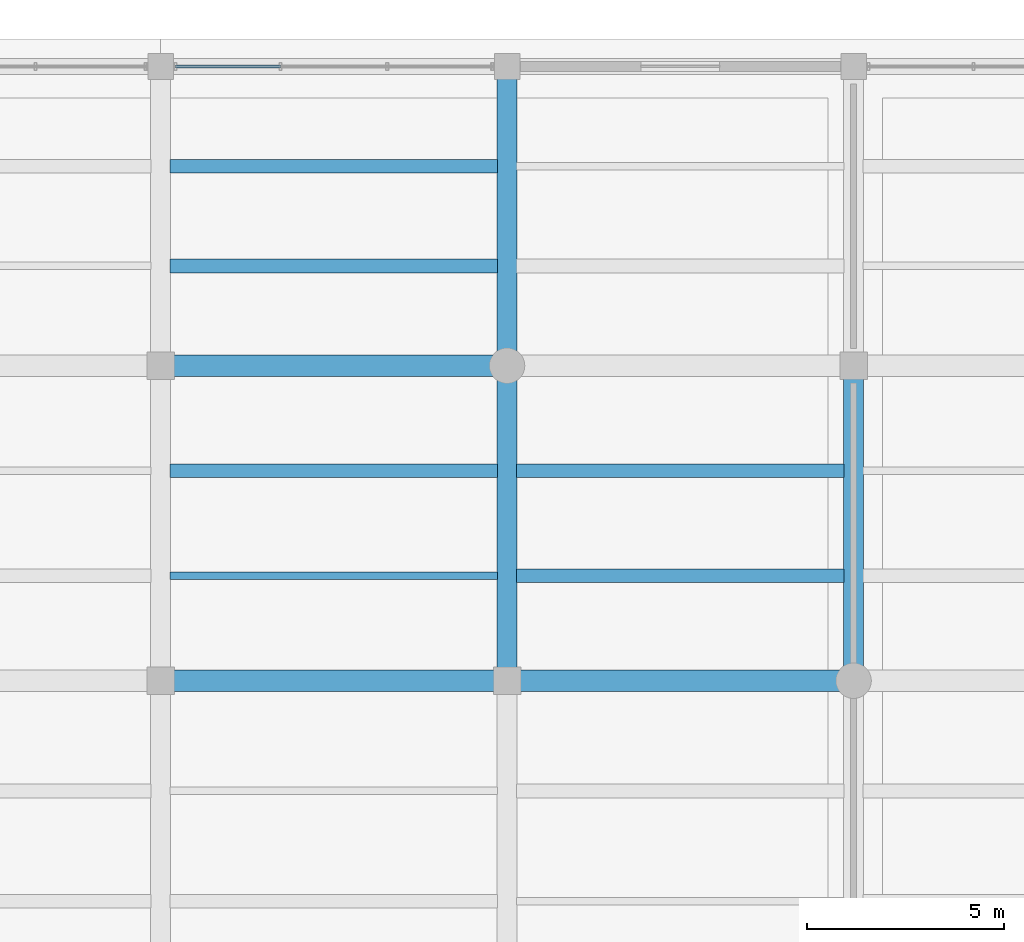
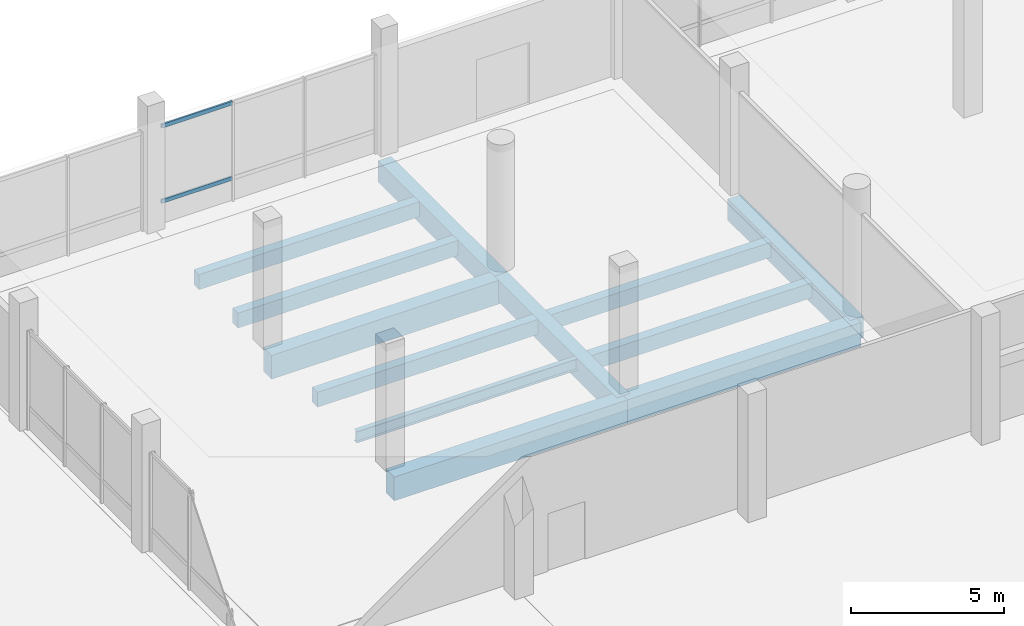
# One storey, part 38 of 73: 12 beams, 2 members, 1 element without a shape of its own.
"""IFC4 building model written with IfcOpenShell, lengths in metres."""

from ifc_helpers import new_model, si_unit, direction, frame, origin, origin_2d, place, context, subcontext, project, spatial, rectangle, hollow_rectangle, i_section, extrude, material, layer, layer_set, material_profile, profile_set, type_object, element, aggregate, save


model = new_model("IFC4")

# Units and contexts
model_context = context("Model", 3, precision=1e-05, world=origin(), true_north=direction((0.0, 1.0)))
body_context = subcontext(model_context, "Body", "Model", "MODEL_VIEW")
ifc_project = project(units=[si_unit("LENGTHUNIT", "METRE"), si_unit("AREAUNIT", "SQUARE_METRE"), si_unit("VOLUMEUNIT", "CUBIC_METRE"), si_unit("PLANEANGLEUNIT", "RADIAN"), si_unit("MASSUNIT", "GRAM", prefix="KILO")], contexts=[model_context])

# Site, building, storey
site_placement = place(None, origin())
site = spatial("IfcSite", under=ifc_project, at=site_placement, CompositionType="ELEMENT")
building_placement = place(site_placement, origin())
building = spatial("IfcBuilding", under=site, at=building_placement, Name="Meriwether Solvik Hall", CompositionType="ELEMENT")
storey_placement = place(building_placement, origin())
storey = spatial("IfcBuildingStorey", under=building, at=storey_placement, Name="L00", CompositionType="ELEMENT", Elevation=0.0)

# Beams
ifc_material_1 = material(Name="Concrete C40/50", Category="concrete")
ifc_material_profile_1 = material_profile(ifc_material_1, rectangle(XDim=0.35009765625, YDim=0.60009765625, at=origin_2d()), Name="RCB-350X600")
ifc_profile_set_1 = profile_set([ifc_material_profile_1], Name="Concrete C40/50")
beam_type_1 = type_object("IfcBeamType", Name="BM-RC-350X600", PredefinedType="JOIST", material=ifc_profile_set_1)
for number, where, z_axis, x_axis, name in (
    (1, (114.445068359375, 106.533203125, -0.659912109375), (1.0, 0.0, 0.0), (0.0, 1.0, 0.0), "Secondary Floor Joist 13/L_J2 (L00)"),
    (2, (114.445068359375, 111.7333984375, -0.659912109375), (1.0, 0.0, 0.0), (0.0, 1.0, 0.0), "Secondary Floor Joist 13/M_J1 (L00)"),
    (3, (114.445068359375, 114.2666015625, -0.659912109375), (1.0, 0.0, 0.0), (0.0, 1.0, 0.0), "Secondary Floor Joist 13/M_J2 (L00)"),
    (4, (123.2451171875, 103.86669921875, -0.659912109375), (1.0, 0.0, 0.0), (0.0, 1.0, 0.0), "Secondary Floor Joist 14/L_J1 (L00)"),
    (5, (123.2451171875, 106.533203125, -0.659912109375), (1.0, 0.0, 0.0), (0.0, 1.0, 0.0), "Secondary Floor Joist 14/L_J2 (L00)"),
):
    element("IfcBeam", number, at=place(storey_placement, frame(where, z_axis=z_axis, x_axis=x_axis)), inside=storey, type_object=beam_type_1, Name=name, PredefinedType="JOIST", context=body_context, shape_type="SweptSolid", body=[
        extrude(rectangle(XDim=0.35009765625, YDim=0.60009765625, at=origin_2d()), origin(), (0.0, 0.0, 1.0), 8.309814453125),
    ])
ifc_material_2 = material(Name="Concrete C40/50", Category="concrete")
ifc_material_profile_2 = material_profile(ifc_material_2, rectangle(XDim=0.5, YDim=0.85009765625, at=origin_2d()), Name="RCB-500X850")
ifc_profile_set_2 = profile_set([ifc_material_profile_2], Name="Concrete C40/50")
beam_type_2 = type_object("IfcBeamType", Name="BM-RC-500X850", PredefinedType="BEAM", material=ifc_profile_set_2)
beam_1_placement = place(storey_placement, frame((123.0, 101.199951171875, -0.784912109375), z_axis=(0.0, 1.0, 0.0), x_axis=(-1.0, 0.0, 0.0)))
element("IfcBeam", 6, at=beam_1_placement, inside=storey, type_object=beam_type_2, Name="Podium Girder 14:L-M (L00)", PredefinedType="BEAM", context=body_context, shape_type="SweptSolid", body=[
    extrude(rectangle(XDim=0.5, YDim=0.85009765625, at=origin_2d()), origin(), (0.0, 0.0, 1.0), 8.0),
])
beam_2_placement = place(storey_placement, frame((123.0, 109.199951171875, -0.784912109375), z_axis=(0.0, 1.0, 0.0), x_axis=(-1.0, 0.0, 0.0)))
element("IfcBeam", 7, at=beam_2_placement, inside=storey, type_object=beam_type_2, Name="Podium Girder 14:M-N (L00)", PredefinedType="BEAM", context=body_context, shape_type="SweptSolid", body=[
    extrude(rectangle(XDim=0.5, YDim=0.85009765625, at=origin_2d()), origin(), (0.0, 0.0, 1.0), 7.60009765625),
])
beam_3_placement = place(storey_placement, frame((131.800048828125, 101.199951171875, -0.784912109375), z_axis=(0.0, 1.0, 0.0), x_axis=(-1.0, 0.0, 0.0)))
element("IfcBeam", 8, at=beam_3_placement, inside=storey, type_object=beam_type_2, Name="Podium Girder 15:L-M (L00)", PredefinedType="BEAM", context=body_context, shape_type="SweptSolid", body=[
    extrude(rectangle(XDim=0.5, YDim=0.85009765625, at=origin_2d()), origin(), (0.0, 0.0, 1.0), 8.0),
])
ifc_material_3 = material(Name="Concrete C40/50", Category="concrete")
ifc_material_profile_3 = material_profile(ifc_material_3, rectangle(XDim=0.550048828125, YDim=0.949951171875, at=origin_2d()), Name="RCB-550X950")
ifc_profile_set_3 = profile_set([ifc_material_profile_3], Name="Concrete C40/50")
beam_type_3 = type_object("IfcBeamType", Name="BM-RC-550X950", PredefinedType="BEAM", material=ifc_profile_set_3)
for number, where, z_axis, x_axis, name in (
    (9, (114.199951171875, 101.199951171875, -0.8349609375), (1.0, 0.0, 0.0), (0.0, 1.0, 0.0), "Podium Girder L:13-14 (L00)"),
    (10, (123.0, 101.199951171875, -0.8349609375), (1.0, 0.0, 0.0), (0.0, 1.0, 0.0), "Podium Girder L:14-15 (L00)"),
    (11, (114.199951171875, 109.199951171875, -0.8349609375), (1.0, 0.0, 0.0), (0.0, 1.0, 0.0), "Podium Girder M:13-14 (L00)"),
):
    element("IfcBeam", number, at=place(storey_placement, frame(where, z_axis=z_axis, x_axis=x_axis)), inside=storey, type_object=beam_type_3, Name=name, PredefinedType="BEAM", context=body_context, shape_type="SweptSolid", body=[
        extrude(rectangle(XDim=0.550048828125, YDim=0.949951171875, at=origin_2d()), origin(), (0.0, 0.0, 1.0), 8.800048828125),
    ])
ifc_material_4 = material(Name="Steel A992 Grade 50", Category="steel")
ifc_material_profile_4 = material_profile(ifc_material_4, i_section(OverallWidth=0.19091796875, OverallDepth=0.45703125, WebThickness=0.009033203125, FlangeThickness=0.014404296875, at=origin_2d()), Name="W18X50")
ifc_profile_set_4 = profile_set([ifc_material_profile_4], Name="Steel A992 Grade 50")
beam_type_4 = type_object("IfcBeamType", Name="BM-STL-W18X50", PredefinedType="JOIST", material=ifc_profile_set_4)
beam_4_placement = place(storey_placement, frame((114.445068359375, 103.86669921875, -0.58837890625), z_axis=(1.0, 0.0, 0.0), x_axis=(0.0, 1.0, 0.0)))
element("IfcBeam", 12, at=beam_4_placement, inside=storey, type_object=beam_type_4, Name="Secondary Floor Joist 13/L_J1 (L00)", PredefinedType="JOIST", context=body_context, shape_type="SweptSolid", body=[
    extrude(i_section(OverallWidth=0.19091796875, OverallDepth=0.45703125, WebThickness=0.009033203125, FlangeThickness=0.014404296875, at=origin_2d()), origin(), (0.0, 0.0, 1.0), 8.309814453125),
])

# Curtain wall, members
ifc_material_5 = material(Name="Thermally Broken Anodised Aluminium 6063-T6 and Low-E Glass", Category="aluminium")
ifc_layer = layer(ifc_material_5, 0.179931640625)
ifc_layer_set = layer_set([ifc_layer], Name="Thermally Broken Anodised Aluminium 6063-T6 and Low-E Glass")
curtain_wall_type = type_object("IfcCurtainWallType", Name="CW-SF-POD-A", PredefinedType="USERDEFINED", material=ifc_layer_set)
curtain_wall_placement = place(storey_placement, origin())
curtain_wall = element("IfcCurtainWall", 13, at=curtain_wall_placement, inside=storey, type_object=curtain_wall_type, Name="Curtain Wall wing_XN_13_30 (L00)", ObjectType="STICK STOREFRONT GLAZING", PredefinedType="USERDEFINED")
ifc_material_6 = material(Name="Anodised Aluminium 6063-T6", Category="aluminium")
ifc_material_profile_5 = material_profile(ifc_material_6, hollow_rectangle(XDim=0.070068359375, YDim=0.14990234375, WallThickness=0.0048828125, at=origin_2d()), Name="CWT-70X150")
ifc_profile_set_5 = profile_set([ifc_material_profile_5], Name="Anodised Aluminium 6063-T6")
member_type = type_object("IfcMemberType", Name="CW-TRN-70X150", PredefinedType="USERDEFINED", material=ifc_profile_set_5)
member_1_placement = place(storey_placement, frame((114.574951171875, 116.800048828125, 0.8798828125), z_axis=(1.0, 0.0, 0.0), x_axis=(0.0, 1.0, 0.0)))
member_1 = element("IfcMember", 14, at=member_1_placement, type_object=member_type, Name="Curtain Wall Transom 1-sill", ObjectType="TRANSOM", PredefinedType="USERDEFINED", context=body_context, shape_type="SweptSolid", body=[
    extrude(hollow_rectangle(XDim=0.070068359375, YDim=0.14990234375, WallThickness=0.0048828125, at=origin_2d()), origin(), (0.0, 0.0, 1.0), 2.670654296875),
])
member_2_placement = place(storey_placement, frame((114.574951171875, 116.800048828125, 3.8798828125), z_axis=(1.0, 0.0, 0.0), x_axis=(0.0, 1.0, 0.0)))
member_2 = element("IfcMember", 15, at=member_2_placement, type_object=member_type, Name="Curtain Wall Transom 1-head", ObjectType="TRANSOM", PredefinedType="USERDEFINED", context=body_context, shape_type="SweptSolid", body=[
    extrude(hollow_rectangle(XDim=0.070068359375, YDim=0.14990234375, WallThickness=0.0048828125, at=origin_2d()), origin(), (0.0, 0.0, 1.0), 2.670654296875),
])
aggregate(curtain_wall, [member_1, member_2])

save(model, "model.ifc")
